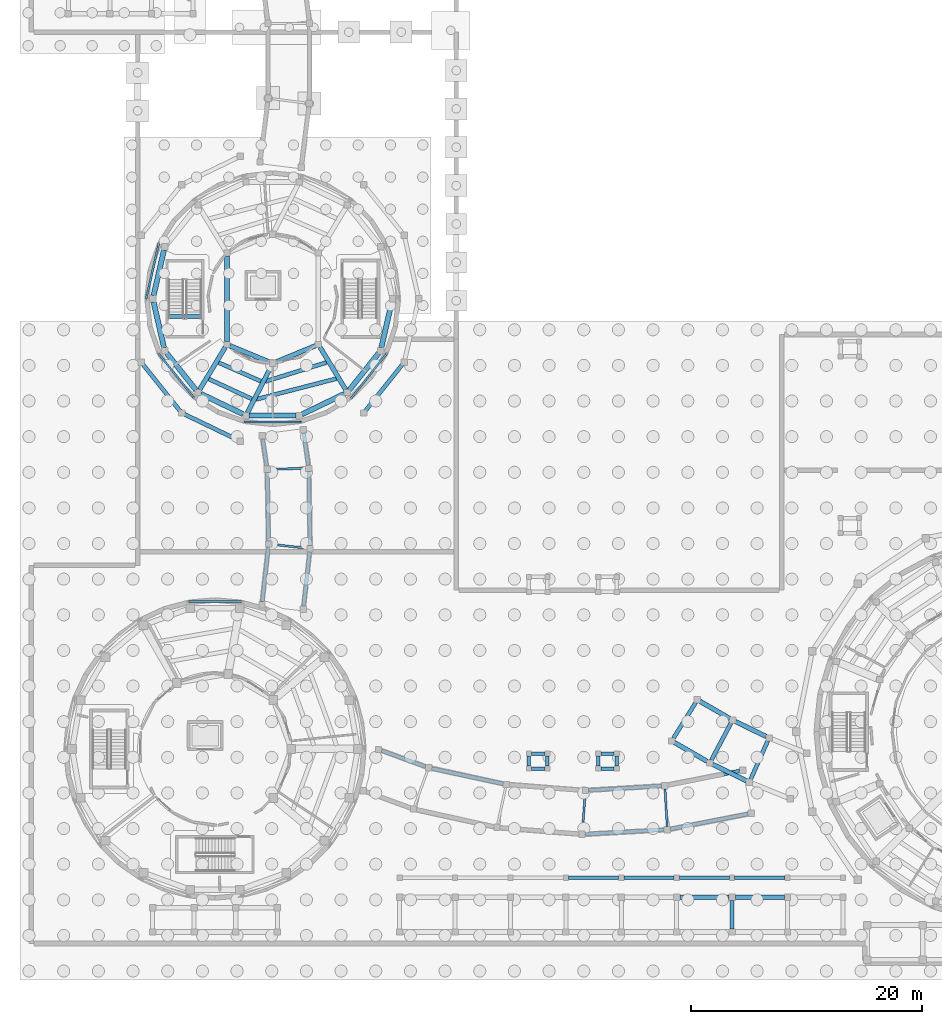
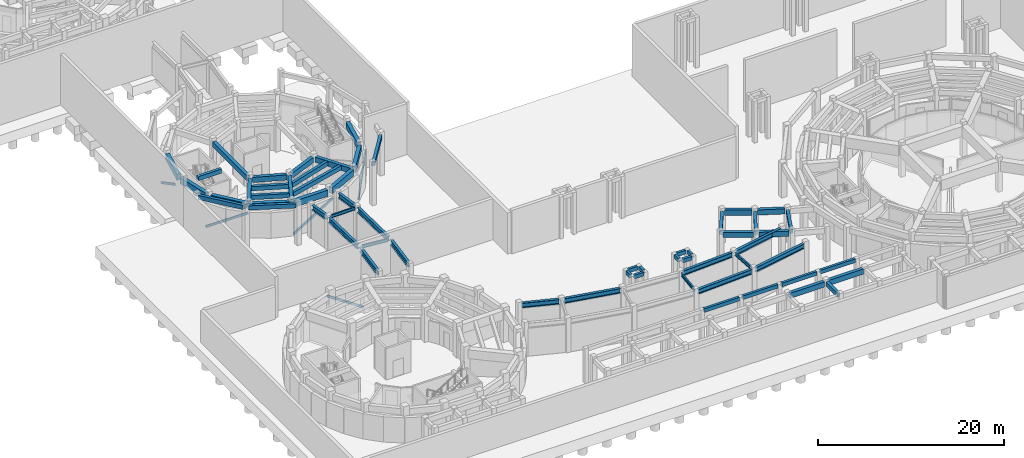
# One storey, part 15 of 57: 60 beams, 5 members.
"""IFC4 building model written with IfcOpenShell, lengths in metres."""

from ifc_helpers import new_model, si_unit, direction, frame, origin, origin_2d, place, context, subcontext, project, spatial, rectangle, i_section, extrude, material, material_profile, profile_set, type_object, element, save


model = new_model("IFC4")

# Units and contexts
model_context = context("Model", 3, precision=1e-05, world=origin(), true_north=direction((0.0, 1.0)))
body_context = subcontext(model_context, "Body", "Model", "MODEL_VIEW")
ifc_project = project(units=[si_unit("LENGTHUNIT", "METRE"), si_unit("AREAUNIT", "SQUARE_METRE"), si_unit("VOLUMEUNIT", "CUBIC_METRE"), si_unit("PLANEANGLEUNIT", "RADIAN"), si_unit("MASSUNIT", "GRAM", prefix="KILO")], contexts=[model_context])

# Site, building, storey
site_placement = place(None, origin())
site = spatial("IfcSite", under=ifc_project, at=site_placement, CompositionType="ELEMENT")
building_placement = place(site_placement, origin())
building = spatial("IfcBuilding", under=site, at=building_placement, Name="Aldenvaro Health Centre", CompositionType="ELEMENT")
storey_placement = place(building_placement, frame((0.0, 0.0, -4.550048828125)))
storey = spatial("IfcBuildingStorey", under=building, at=storey_placement, Name="B1", CompositionType="ELEMENT", Elevation=-4.550048828125)

# Beams
ifc_material_1 = material(Name="Concrete f'c 40 MPa", Category="concrete")
ifc_material_profile_1 = material_profile(ifc_material_1, rectangle(XDim=0.300048828125, YDim=0.47998046875, at=origin_2d()), Name="RC 300x480", Category="concrete")
ifc_profile_set_1 = profile_set([ifc_material_profile_1], Name="Concrete f'c 40 MPa")
beam_type_1 = type_object("IfcBeamType", Name="BM-RC-480", PredefinedType="LINTEL", material=ifc_profile_set_1)
for number, where, z_axis, x_axis, name in (
    (1, (45.925048828125, 16.800048828125, 4.090087890625), (1.0, 0.0, 0.0), (0.0, 1.0, 0.0), "Ramp 1 Departure Beam 1"),
    (2, (47.074951171875, 18.10009765625, 4.090087890625), (-1.0, 0.0, 0.0), (0.0, -1.0, 0.0), "Ramp 1 Departure Beam 2"),
):
    element("IfcBeam", number, at=place(storey_placement, frame(where, z_axis=z_axis, x_axis=x_axis)), inside=storey, type_object=beam_type_1, Name=name, PredefinedType="LINTEL", context=body_context, shape_type="SweptSolid", body=[
        extrude(rectangle(XDim=0.300048828125, YDim=0.47998046875, at=origin_2d()), origin(), (0.0, 0.0, 1.0), 1.14990234375),
    ])
for number, where, z_axis, x_axis, name in (
    (3, (45.699951171875, 17.02490234375, 4.090087890625), (0.0, 1.0, 0.0), (-1.0, 0.0, 0.0), "Ramp 1 Departure Beam 3"),
    (4, (47.300048828125, 17.02490234375, 4.090087890625), (0.0, 1.0, 0.0), (-1.0, 0.0, 0.0), "Ramp 1 Departure Beam 4"),
):
    element("IfcBeam", number, at=place(storey_placement, frame(where, z_axis=z_axis, x_axis=x_axis)), inside=storey, type_object=beam_type_1, Name=name, PredefinedType="LINTEL", context=body_context, shape_type="SweptSolid", body=[
        extrude(rectangle(XDim=0.300048828125, YDim=0.47998046875, at=origin_2d()), origin(), (0.0, 0.0, 1.0), 0.85009765625),
    ])
for number, where, z_axis, x_axis, name in (
    (5, (51.925048828125, 16.800048828125, 4.090087890625), (1.0, 0.0, 0.0), (0.0, 1.0, 0.0), "Ramp 2 Departure Beam 1"),
    (6, (53.074951171875, 18.10009765625, 4.090087890625), (-1.0, 0.0, 0.0), (0.0, -1.0, 0.0), "Ramp 2 Departure Beam 2"),
):
    element("IfcBeam", number, at=place(storey_placement, frame(where, z_axis=z_axis, x_axis=x_axis)), inside=storey, type_object=beam_type_1, Name=name, PredefinedType="LINTEL", context=body_context, shape_type="SweptSolid", body=[
        extrude(rectangle(XDim=0.300048828125, YDim=0.47998046875, at=origin_2d()), origin(), (0.0, 0.0, 1.0), 1.14990234375),
    ])
for number, where, z_axis, x_axis, name in (
    (7, (51.699951171875, 17.02490234375, 4.090087890625), (0.0, 1.0, 0.0), (-1.0, 0.0, 0.0), "Ramp 2 Departure Beam 3"),
    (8, (53.300048828125, 17.02490234375, 4.090087890625), (0.0, 1.0, 0.0), (-1.0, 0.0, 0.0), "Ramp 2 Departure Beam 4"),
):
    element("IfcBeam", number, at=place(storey_placement, frame(where, z_axis=z_axis, x_axis=x_axis)), inside=storey, type_object=beam_type_1, Name=name, PredefinedType="LINTEL", context=body_context, shape_type="SweptSolid", body=[
        extrude(rectangle(XDim=0.300048828125, YDim=0.47998046875, at=origin_2d()), origin(), (0.0, 0.0, 1.0), 0.85009765625),
    ])
beam_1_placement = place(storey_placement, frame((49.125, 7.35009765625, 4.31005859375), z_axis=(1.0, 0.0, 0.0), x_axis=(0.0, 1.0, 0.0)))
element("IfcBeam", 9, at=beam_1_placement, inside=storey, type_object=beam_type_1, Name="Courtyard Screen W Grade Beam 4", PredefinedType="LINTEL", context=body_context, shape_type="SweptSolid", body=[
    extrude(rectangle(XDim=0.300048828125, YDim=0.47998046875, at=origin_2d()), origin(), (0.0, 0.0, 1.0), 4.35009765625),
])
for number, where, z_axis, x_axis, name in (
    (10, (53.925048828125, 7.35009765625, 4.31005859375), (1.0, 0.0, 0.0), (0.0, 1.0, 0.0), "Courtyard Screen W Grade Beam 5"),
    (11, (58.72509765625, 7.35009765625, 4.31005859375), (1.0, 0.0, 0.0), (0.0, 1.0, 0.0), "Courtyard Screen W Grade Beam 6"),
):
    element("IfcBeam", number, at=place(storey_placement, frame(where, z_axis=z_axis, x_axis=x_axis)), inside=storey, type_object=beam_type_1, Name=name, PredefinedType="LINTEL", context=body_context, shape_type="SweptSolid", body=[
        extrude(rectangle(XDim=0.300048828125, YDim=0.47998046875, at=origin_2d()), origin(), (0.0, 0.0, 1.0), 4.349853515625),
    ])
beam_2_placement = place(storey_placement, frame((63.52490234375, 7.35009765625, 4.31005859375), z_axis=(1.0, 0.0, 0.0), x_axis=(0.0, 1.0, 0.0)))
element("IfcBeam", 12, at=beam_2_placement, inside=storey, type_object=beam_type_1, Name="Courtyard Screen W Grade Beam 7", PredefinedType="LINTEL", context=body_context, shape_type="SweptSolid", body=[
    extrude(rectangle(XDim=0.300048828125, YDim=0.47998046875, at=origin_2d()), origin(), (0.0, 0.0, 1.0), 4.35009765625),
])
ifc_material_profile_2 = material_profile(ifc_material_1, rectangle(XDim=0.35009765625, YDim=0.56005859375, at=origin_2d()), Name="RC 350x560", Category="concrete")
ifc_profile_set_2 = profile_set([ifc_material_profile_2], Name="Concrete f'c 40 MPa")
beam_type_2 = type_object("IfcBeamType", Name="BM-RC-560", PredefinedType="JOIST", material=ifc_profile_set_2)
beam_3_placement = place(storey_placement, frame((18.819091796875, 51.964111328125, 3.85498046875), z_axis=(0.915495637706, -0.402327897791, 0.0), x_axis=(0.402327897791, 0.915495637706, 0.0)))
element("IfcBeam", 13, at=beam_3_placement, inside=storey, type_object=beam_type_2, Name="D3 B1 secondary joist 04.1", PredefinedType="JOIST", context=body_context, shape_type="SweptSolid", body=[
    extrude(rectangle(XDim=0.35009765625, YDim=0.56005859375, at=origin_2d()), origin(), (0.0, 0.0, 1.0), 4.00439453125),
])
beam_4_placement = place(storey_placement, frame((17.962890625, 50.548095703125, 3.85498046875), z_axis=(0.90770241164, -0.419614503924, 0.0), x_axis=(0.419614503924, 0.90770241164, 0.0)))
element("IfcBeam", 14, at=beam_4_placement, inside=storey, type_object=beam_type_2, Name="D3 B1 secondary joist 04.2", PredefinedType="JOIST", context=body_context, shape_type="SweptSolid", body=[
    extrude(rectangle(XDim=0.35009765625, YDim=0.56005859375, at=origin_2d()), origin(), (0.0, 0.0, 1.0), 4.1181640625),
])
beam_5_placement = place(storey_placement, frame((22.85888671875, 50.33203125, 3.85498046875), z_axis=(0.954868665871, 0.297028333561, 0.0), x_axis=(-0.297028333561, 0.954868665871, 0.0)))
element("IfcBeam", 15, at=beam_5_placement, inside=storey, type_object=beam_type_2, Name="D3 B1 secondary joist 05.1", PredefinedType="JOIST", context=body_context, shape_type="SweptSolid", body=[
    extrude(rectangle(XDim=0.35009765625, YDim=0.56005859375, at=origin_2d()), origin(), (0.0, 0.0, 1.0), 5.5654296875),
])
beam_6_placement = place(storey_placement, frame((22.076904296875, 48.785888671875, 3.85498046875), z_axis=(0.968205324871, 0.250156848581, 0.0), x_axis=(-0.250156848581, 0.968205324871, 0.0)))
element("IfcBeam", 16, at=beam_6_placement, inside=storey, type_object=beam_type_2, Name="D3 B1 secondary joist 05.2", PredefinedType="JOIST", context=body_context, shape_type="SweptSolid", body=[
    extrude(rectangle(XDim=0.35009765625, YDim=0.56005859375, at=origin_2d()), origin(), (0.0, 0.0, 1.0), 7.17626953125),
])
for number, where, z_axis, x_axis, name in (
    (17, (60.14599609375, 22.52490234375, 3.949951171875), (-0.529944821352, -0.848032125761, 0.0), (0.848032125761, -0.529944821352, 0.0), "Colonnade Transverse Beam 01"),
    (18, (63.2099609375, 20.756103515625, 3.949951171875), (-0.469601878876, -0.882878290228, 0.0), (0.882878290228, -0.469601878876, 0.0), "Colonnade Transverse Beam 02"),
):
    element("IfcBeam", number, at=place(storey_placement, frame(where, z_axis=z_axis, x_axis=x_axis)), inside=storey, type_object=beam_type_2, Name=name, PredefinedType="JOIST", context=body_context, shape_type="SweptSolid", body=[
        extrude(rectangle(XDim=0.35009765625, YDim=0.56005859375, at=origin_2d()), origin(), (0.0, 0.0, 1.0), 3.649658203125),
    ])
beam_7_placement = place(storey_placement, frame((66.387939453125, 19.2060546875, 3.949951171875), z_axis=(-0.406523187551, -0.913640464288, 0.0), x_axis=(0.913640464288, -0.406523187551, 0.0)))
element("IfcBeam", 19, at=beam_7_placement, inside=storey, type_object=beam_type_2, Name="Colonnade Transverse Beam 03", PredefinedType="JOIST", context=body_context, shape_type="SweptSolid", body=[
    extrude(rectangle(XDim=0.35009765625, YDim=0.56005859375, at=origin_2d()), origin(), (0.0, 0.0, 1.0), 3.650146484375),
])
beam_8_placement = place(storey_placement, frame((63.300048828125, 2.925048828125, 4.010009765625), z_axis=(0.0, 1.0, 0.0), x_axis=(-1.0, 0.0, 0.0)))
element("IfcBeam", 20, at=beam_8_placement, inside=storey, type_object=beam_type_2, Name="South Stoa W Transverse Beam B1-7", PredefinedType="JOIST", context=body_context, shape_type="SweptSolid", body=[
    extrude(rectangle(XDim=0.35009765625, YDim=0.56005859375, at=origin_2d()), origin(), (0.0, 0.0, 1.0), 2.449951171875),
])
beam_9_placement = place(storey_placement, frame((12.239990234375, 51.839111328125, 5.10009765625), z_axis=(0.623564197112, -0.781772148442, 0.0), x_axis=(0.781772148442, 0.623564197112, 0.0)))
element("IfcBeam", 21, at=beam_9_placement, inside=storey, type_object=beam_type_2, Name="Garden Pavilion Peristyle Plinth Tie 09", PredefinedType="JOIST", context=body_context, shape_type="SweptSolid", body=[
    extrude(rectangle(XDim=0.35009765625, YDim=0.56005859375, at=origin_2d()), origin(), (0.0, 0.0, 1.0), 5.189697265625),
])
beam_10_placement = place(storey_placement, frame((15.81103515625, 47.514892578125, 5.10009765625), z_axis=(0.900887923887, -0.434051781007, 0.0), x_axis=(0.434051781007, 0.900887923887, 0.0)))
element("IfcBeam", 22, at=beam_10_placement, inside=storey, type_object=beam_type_2, Name="Garden Pavilion Peristyle Plinth Tie 10", PredefinedType="JOIST", context=body_context, shape_type="SweptSolid", body=[
    extrude(rectangle(XDim=0.35009765625, YDim=0.56005859375, at=origin_2d()), origin(), (0.0, 0.0, 1.0), 5.1904296875),
])
beam_11_placement = place(storey_placement, frame((31.52392578125, 47.781982421875, 5.10009765625), z_axis=(0.623564197112, 0.781772148442, 0.0), x_axis=(-0.781772148442, 0.623564197112, 0.0)))
element("IfcBeam", 23, at=beam_11_placement, inside=storey, type_object=beam_type_2, Name="Garden Pavilion Peristyle Plinth Tie 13", PredefinedType="JOIST", context=body_context, shape_type="SweptSolid", body=[
    extrude(rectangle(XDim=0.35009765625, YDim=0.56005859375, at=origin_2d()), origin(), (0.0, 0.0, 1.0), 5.189697265625),
])
beam_12_placement = place(storey_placement, frame((17.35009765625, 55.949951171875, 4.27001953125), z_axis=(-1.0, 0.0, 0.0), x_axis=(0.0, -1.0, 0.0)))
element("IfcBeam", 24, at=beam_12_placement, inside=storey, type_object=beam_type_2, Name="ST-06 L00 stair landing trimmer beam", PredefinedType="JOIST", context=body_context, shape_type="SweptSolid", body=[
    extrude(rectangle(XDim=0.35009765625, YDim=0.56005859375, at=origin_2d()), origin(), (0.0, 0.0, 1.0), 2.900146484375),
])
ifc_material_profile_3 = material_profile(ifc_material_1, rectangle(XDim=0.39990234375, YDim=0.679931640625, at=origin_2d()), Name="RC 400x680", Category="concrete")
ifc_profile_set_3 = profile_set([ifc_material_profile_3], Name="Concrete f'c 40 MPa")
beam_type_3 = type_object("IfcBeamType", Name="BM-RC-680", PredefinedType="BEAM", material=ifc_profile_set_3)
beam_13_placement = place(storey_placement, frame((19.5400390625, 61.18505859375, 3.795166015625), z_axis=(0.0, -1.0, 0.0), x_axis=(1.0, 0.0, 0.0)))
element("IfcBeam", 25, at=beam_13_placement, inside=storey, type_object=beam_type_3, Name="D3 B1 inner ring beam 03", PredefinedType="BEAM", context=body_context, shape_type="SweptSolid", body=[
    extrude(rectangle(XDim=0.39990234375, YDim=0.679931640625, at=origin_2d()), origin(), (0.0, 0.0, 1.0), 7.3701171875),
])
for number, where, z_axis, x_axis, name in (
    (26, (19.7939453125, 53.43505859375, 3.795166015625), (0.923855963606, -0.38274032778, 0.0), (0.38274032778, 0.923855963606, 0.0), "D3 B1 inner ring beam 04"),
    (27, (23.75390625, 52.0048828125, 3.795166015625), (0.923855963606, 0.38274032778, 0.0), (-0.38274032778, 0.923855963606, 0.0), "D3 B1 inner ring beam 05"),
):
    element("IfcBeam", number, at=place(storey_placement, frame(where, z_axis=z_axis, x_axis=x_axis)), inside=storey, type_object=beam_type_3, Name=name, PredefinedType="BEAM", context=body_context, shape_type="SweptSolid", body=[
        extrude(rectangle(XDim=0.39990234375, YDim=0.679931640625, at=origin_2d()), origin(), (0.0, 0.0, 1.0), 3.736572265625),
    ])
beam_14_placement = place(storey_placement, frame((19.39794921875, 53.304931640625, 3.795166015625), z_axis=(-0.517419338909, -0.855731983581, 0.0), x_axis=(0.855731983581, -0.517419338909, 0.0)))
element("IfcBeam", 28, at=beam_14_placement, inside=storey, type_object=beam_type_3, Name="D3 B1 radial beam 04", PredefinedType="BEAM", context=body_context, shape_type="SweptSolid", body=[
    extrude(rectangle(XDim=0.39990234375, YDim=0.679931640625, at=origin_2d()), origin(), (0.0, 0.0, 1.0), 4.30615234375),
])
beam_15_placement = place(storey_placement, frame((23.375, 51.655029296875, 3.795166015625), z_axis=(-0.455157629571, -0.890410878327, 0.0), x_axis=(0.890410878327, -0.455157629571, 0.0)))
element("IfcBeam", 29, at=beam_15_placement, inside=storey, type_object=beam_type_3, Name="D3 B1 radial beam 05", PredefinedType="BEAM", context=body_context, shape_type="SweptSolid", body=[
    extrude(rectangle(XDim=0.39990234375, YDim=0.679931640625, at=origin_2d()), origin(), (0.0, 0.0, 1.0), 4.526123046875),
])
beam_16_placement = place(storey_placement, frame((27.60205078125, 53.304931640625, 3.795166015625), z_axis=(0.517419338909, -0.855731983581, 0.0), x_axis=(0.855731983581, 0.517419338909, 0.0)))
element("IfcBeam", 30, at=beam_16_placement, inside=storey, type_object=beam_type_3, Name="D3 B1 radial beam 06", PredefinedType="BEAM", context=body_context, shape_type="SweptSolid", body=[
    extrude(rectangle(XDim=0.39990234375, YDim=0.679931640625, at=origin_2d()), origin(), (0.0, 0.0, 1.0), 4.30615234375),
])
beam_17_placement = place(storey_placement, frame((60.530029296875, 22.62109375, 3.949951171875), z_axis=(0.86592126514, -0.500180330059, 0.0), x_axis=(0.500180330059, 0.86592126514, 0.0)))
element("IfcBeam", 31, at=beam_17_placement, inside=storey, type_object=beam_type_3, Name="Colonnade Architrave Beam IN 01", PredefinedType="BEAM", context=body_context, shape_type="SweptSolid", body=[
    extrude(rectangle(XDim=0.39990234375, YDim=0.679931640625, at=origin_2d()), origin(), (0.0, 0.0, 1.0), 2.96923828125),
])
beam_18_placement = place(storey_placement, frame((58.303955078125, 19.05908203125, 3.949951171875), z_axis=(0.866139473422, -0.499802373524, 0.0), x_axis=(0.499802373524, 0.866139473422, 0.0)))
element("IfcBeam", 32, at=beam_18_placement, inside=storey, type_object=beam_type_3, Name="Colonnade Architrave Beam OUT 01", PredefinedType="BEAM", context=body_context, shape_type="SweptSolid", body=[
    extrude(rectangle(XDim=0.39990234375, YDim=0.679931640625, at=origin_2d()), origin(), (0.0, 0.0, 1.0), 3.261474609375),
])
beam_19_placement = place(storey_placement, frame((63.5859375, 20.8779296875, 3.949951171875), z_axis=(0.898890989198, -0.438172328586, 0.0), x_axis=(0.438172328586, 0.898890989198, 0.0)))
element("IfcBeam", 33, at=beam_19_placement, inside=storey, type_object=beam_type_3, Name="Colonnade Architrave Beam IN 02", PredefinedType="BEAM", context=body_context, shape_type="SweptSolid", body=[
    extrude(rectangle(XDim=0.39990234375, YDim=0.679931640625, at=origin_2d()), origin(), (0.0, 0.0, 1.0), 2.967041015625),
])
beam_20_placement = place(storey_placement, frame((61.614013671875, 17.169921875, 3.949951171875), z_axis=(0.898859814594, -0.43823627612, 0.0), x_axis=(0.43823627612, 0.898859814594, 0.0)))
element("IfcBeam", 34, at=beam_20_placement, inside=storey, type_object=beam_type_3, Name="Colonnade Architrave Beam OUT 02", PredefinedType="BEAM", context=body_context, shape_type="SweptSolid", body=[
    extrude(rectangle(XDim=0.39990234375, YDim=0.679931640625, at=origin_2d()), origin(), (0.0, 0.0, 1.0), 3.2607421875),
])
for number, where, z_axis, x_axis, name in (
    (35, (58.77490234375, 5.64990234375, 3.949951171875), (1.0, 0.0, 0.0), (0.0, 1.0, 0.0), "South Stoa W Classical Architrave B1-6.2"),
    (36, (63.574951171875, 5.64990234375, 3.949951171875), (1.0, 0.0, 0.0), (0.0, 1.0, 0.0), "South Stoa W Classical Architrave B1-7.2"),
):
    element("IfcBeam", number, at=place(storey_placement, frame(where, z_axis=z_axis, x_axis=x_axis)), inside=storey, type_object=beam_type_3, Name=name, PredefinedType="BEAM", context=body_context, shape_type="SweptSolid", body=[
        extrude(rectangle(XDim=0.39990234375, YDim=0.679931640625, at=origin_2d()), origin(), (0.0, 0.0, 1.0), 4.25),
    ])
ifc_material_profile_4 = material_profile(ifc_material_1, rectangle(XDim=0.449951171875, YDim=0.800048828125, at=origin_2d()), Name="RC 450x800", Category="concrete")
ifc_profile_set_4 = profile_set([ifc_material_profile_4], Name="Concrete f'c 40 MPa")
beam_type_4 = type_object("IfcBeamType", Name="BM-RC-800I", PredefinedType="SPANDREL", material=ifc_profile_set_4)
for number, where, z_axis, x_axis, name in (
    (37, (14.0869140625, 61.736083984375, 3.735107421875), (-0.222598403524, -0.97491022702, 0.0), (0.97491022702, -0.222598403524, 0.0), "D3 B1 perimeter spandrel 07"),
    (38, (13.180908203125, 57.23193359375, 3.735107421875), (0.222598403524, -0.97491022702, 0.0), (0.97491022702, 0.222598403524, 0.0), "D3 B1 perimeter spandrel 08"),
):
    element("IfcBeam", number, at=place(storey_placement, frame(where, z_axis=z_axis, x_axis=x_axis)), inside=storey, type_object=beam_type_4, Name=name, PredefinedType="SPANDREL", context=body_context, shape_type="SweptSolid", body=[
        extrude(rectangle(XDim=0.449951171875, YDim=0.800048828125, at=origin_2d()), origin(), (0.0, 0.0, 1.0), 4.070068359375),
    ])
beam_21_placement = place(storey_placement, frame((14.319091796875, 52.781005859375, 3.735107421875), z_axis=(0.623662856495, -0.781693444663, 0.0), x_axis=(0.781693444663, 0.623662856495, 0.0)))
element("IfcBeam", 39, at=beam_21_placement, inside=storey, type_object=beam_type_4, Name="D3 B1 perimeter spandrel 09", PredefinedType="SPANDREL", context=body_context, shape_type="SweptSolid", body=[
    extrude(rectangle(XDim=0.449951171875, YDim=0.800048828125, at=origin_2d()), origin(), (0.0, 0.0, 1.0), 4.0693359375),
])
beam_22_placement = place(storey_placement, frame((17.27587890625, 49.26611328125, 3.735107421875), z_axis=(0.900812260888, -0.434208786914, 0.0), x_axis=(0.434208786914, 0.900812260888, 0.0)))
element("IfcBeam", 40, at=beam_22_placement, inside=storey, type_object=beam_type_4, Name="D3 B1 perimeter spandrel 10", PredefinedType="SPANDREL", context=body_context, shape_type="SweptSolid", body=[
    extrude(rectangle(XDim=0.449951171875, YDim=0.800048828125, at=origin_2d()), origin(), (0.0, 0.0, 1.0), 4.069580078125),
])
beam_23_placement = place(storey_placement, frame((21.465087890625, 47.3798828125, 3.735107421875), z_axis=(1.0, 0.0, 0.0), x_axis=(0.0, 1.0, 0.0)))
element("IfcBeam", 41, at=beam_23_placement, inside=storey, type_object=beam_type_4, Name="D3 B1 perimeter spandrel 11", PredefinedType="SPANDREL", context=body_context, shape_type="SweptSolid", body=[
    extrude(rectangle(XDim=0.449951171875, YDim=0.800048828125, at=origin_2d()), origin(), (0.0, 0.0, 1.0), 4.06982421875),
])
beam_24_placement = place(storey_placement, frame((26.05810546875, 47.4990234375, 3.735107421875), z_axis=(0.900812260888, 0.434208786914, 0.0), x_axis=(-0.434208786914, 0.900812260888, 0.0)))
element("IfcBeam", 42, at=beam_24_placement, inside=storey, type_object=beam_type_4, Name="D3 B1 perimeter spandrel 12", PredefinedType="SPANDREL", context=body_context, shape_type="SweptSolid", body=[
    extrude(rectangle(XDim=0.449951171875, YDim=0.800048828125, at=origin_2d()), origin(), (0.0, 0.0, 1.0), 4.069580078125),
])
beam_25_placement = place(storey_placement, frame((30.14306640625, 49.60009765625, 3.735107421875), z_axis=(0.623662856495, 0.781693444663, 0.0), x_axis=(-0.781693444663, 0.623662856495, 0.0)))
element("IfcBeam", 43, at=beam_25_placement, inside=storey, type_object=beam_type_4, Name="D3 B1 perimeter spandrel 13", PredefinedType="SPANDREL", context=body_context, shape_type="SweptSolid", body=[
    extrude(rectangle(XDim=0.449951171875, YDim=0.800048828125, at=origin_2d()), origin(), (0.0, 0.0, 1.0), 4.0693359375),
])
beam_26_placement = place(storey_placement, frame((32.9130859375, 53.263916015625, 3.735107421875), z_axis=(0.222598403524, 0.97491022702, 0.0), x_axis=(-0.97491022702, 0.222598403524, 0.0)))
element("IfcBeam", 44, at=beam_26_placement, inside=storey, type_object=beam_type_4, Name="D3 B1 perimeter spandrel 14", PredefinedType="SPANDREL", context=body_context, shape_type="SweptSolid", body=[
    extrude(rectangle(XDim=0.449951171875, YDim=0.800048828125, at=origin_2d()), origin(), (0.0, 0.0, 1.0), 4.070068359375),
])
ifc_material_2 = material(Name="Steel ASTM A992 Grade 50", Category="steel")
ifc_material_profile_5 = material_profile(ifc_material_2, i_section(OverallWidth=0.180908203125, OverallDepth=0.4169921875, WebThickness=0.010986328125, FlangeThickness=0.018310546875, at=origin_2d()), Name="W16X57", Category="steel")
ifc_profile_set_5 = profile_set([ifc_material_profile_5], Name="Steel ASTM A992 Grade 50")
beam_type_5 = type_object("IfcBeamType", Name="BM-ST-W16", PredefinedType="JOIST", material=ifc_profile_set_5)
beam_27_placement = place(storey_placement, frame((23.427001953125, 36.22607421875, 4.136962890625), z_axis=(0.993838760103, -0.110835548977, 0.0), x_axis=(0.110835548977, 0.993838760103, 0.0)))
element("IfcBeam", 45, at=beam_27_placement, inside=storey, type_object=beam_type_5, Name="West South Curved Garden Walkway Arc 1 B1 cross beam 2", PredefinedType="JOIST", context=body_context, shape_type="SweptSolid", body=[
    extrude(i_section(OverallWidth=0.180908203125, OverallDepth=0.4169921875, WebThickness=0.010986328125, FlangeThickness=0.018310546875, at=origin_2d()), origin(), (0.0, 0.0, 1.0), 3.05078125),
])
beam_28_placement = place(storey_placement, frame((23.301025390625, 42.7451171875, 4.136962890625), z_axis=(0.99985468814, 0.017047070245, 0.0), x_axis=(-0.017047070245, 0.99985468814, 0.0)))
element("IfcBeam", 46, at=beam_28_placement, inside=storey, type_object=beam_type_5, Name="West South Curved Garden Walkway Arc 2 B1 cross beam 2", PredefinedType="JOIST", context=body_context, shape_type="SweptSolid", body=[
    extrude(i_section(OverallWidth=0.180908203125, OverallDepth=0.4169921875, WebThickness=0.010986328125, FlangeThickness=0.018310546875, at=origin_2d()), origin(), (0.0, 0.0, 1.0), 3.050537109375),
])
beam_29_placement = place(storey_placement, frame((50.576904296875, 14.623046875, 4.0810546875), z_axis=(-0.078126830306, -0.996943427877, 0.0), x_axis=(0.996943427877, -0.078126830306, 0.0)))
element("IfcBeam", 47, at=beam_29_placement, inside=storey, type_object=beam_type_5, Name="South West Curved Peristyle Walkway Arc 3 B1 cross beam 2", PredefinedType="JOIST", context=body_context, shape_type="SweptSolid", body=[
    extrude(i_section(OverallWidth=0.180908203125, OverallDepth=0.4169921875, WebThickness=0.010986328125, FlangeThickness=0.018310546875, at=origin_2d()), origin(), (0.0, 0.0, 1.0), 3.25),
])
beam_30_placement = place(storey_placement, frame((57.487060546875, 15.035888671875, 4.0810546875), z_axis=(0.057255211564, -0.998359574877, 0.0), x_axis=(0.998359574877, 0.057255211564, 0.0)))
element("IfcBeam", 48, at=beam_30_placement, inside=storey, type_object=beam_type_5, Name="South West Curved Peristyle Walkway Arc 4 B1 cross beam 2", PredefinedType="JOIST", context=body_context, shape_type="SweptSolid", body=[
    extrude(i_section(OverallWidth=0.180908203125, OverallDepth=0.4169921875, WebThickness=0.010986328125, FlangeThickness=0.018310546875, at=origin_2d()), origin(), (0.0, 0.0, 1.0), 3.249267578125),
])
ifc_material_profile_6 = material_profile(ifc_material_2, i_section(OverallWidth=0.326904296875, OverallDepth=0.6220703125, WebThickness=0.015380859375, FlangeThickness=0.0244140625, at=origin_2d()), Name="W24X131", Category="steel")
ifc_profile_set_6 = profile_set([ifc_material_profile_6], Name="Steel ASTM A992 Grade 50")
beam_type_6 = type_object("IfcBeamType", Name="BM-ST-W24", PredefinedType="BEAM", material=ifc_profile_set_6)
beam_31_placement = place(storey_placement, frame((22.60107421875, 31.281005859375, 4.033935546875), z_axis=(0.110539141932, 0.993871771458, 0.0), x_axis=(-0.993871771458, 0.110539141932, 0.0)))
element("IfcBeam", 49, at=beam_31_placement, inside=storey, type_object=beam_type_6, Name="West South Curved Garden Walkway Arc 1 B1 girder L-1", PredefinedType="BEAM", context=body_context, shape_type="SweptSolid", body=[
    extrude(i_section(OverallWidth=0.326904296875, OverallDepth=0.6220703125, WebThickness=0.015380859375, FlangeThickness=0.0244140625, at=origin_2d()), origin(), (0.0, 0.0, 1.0), 4.73095703125),
])
beam_32_placement = place(storey_placement, frame((26.178955078125, 30.884033203125, 4.033935546875), z_axis=(0.110561824468, 0.993869248428, 0.0), x_axis=(-0.993869248428, 0.110561824468, 0.0)))
element("IfcBeam", 50, at=beam_32_placement, inside=storey, type_object=beam_type_6, Name="West South Curved Garden Walkway Arc 1 B1 girder R-1", PredefinedType="BEAM", context=body_context, shape_type="SweptSolid", body=[
    extrude(i_section(OverallWidth=0.326904296875, OverallDepth=0.6220703125, WebThickness=0.015380859375, FlangeThickness=0.0244140625, at=origin_2d()), origin(), (0.0, 0.0, 1.0), 4.72998046875),
])
beam_33_placement = place(storey_placement, frame((23.14892578125, 36.531005859375, 4.033935546875), z_axis=(-0.019867714319, 0.999802617484, 0.0), x_axis=(-0.999802617484, -0.019867714319, 0.0)))
element("IfcBeam", 51, at=beam_33_placement, inside=storey, type_object=beam_type_6, Name="West South Curved Garden Walkway Arc 2 B1 girder L-1", PredefinedType="BEAM", context=body_context, shape_type="SweptSolid", body=[
    extrude(i_section(OverallWidth=0.326904296875, OverallDepth=0.6220703125, WebThickness=0.015380859375, FlangeThickness=0.0244140625, at=origin_2d()), origin(), (0.0, 0.0, 1.0), 5.935302734375),
])
beam_34_placement = place(storey_placement, frame((26.72802734375, 36.133056640625, 4.033935546875), z_axis=(-0.015347562128, 0.999882219232, 0.0), x_axis=(-0.999882219232, -0.015347562128, 0.0)))
element("IfcBeam", 52, at=beam_34_placement, inside=storey, type_object=beam_type_6, Name="West South Curved Garden Walkway Arc 2 B1 girder R-1", PredefinedType="BEAM", context=body_context, shape_type="SweptSolid", body=[
    extrude(i_section(OverallWidth=0.326904296875, OverallDepth=0.6220703125, WebThickness=0.015380859375, FlangeThickness=0.0244140625, at=origin_2d()), origin(), (0.0, 0.0, 1.0), 6.394775390625),
])
beam_35_placement = place(storey_placement, frame((22.985107421875, 43.011962890625, 4.033935546875), z_axis=(-0.1499789487, 0.988689190265, 0.0), x_axis=(-0.988689190265, -0.1499789487, 0.0)))
element("IfcBeam", 53, at=beam_35_placement, inside=storey, type_object=beam_type_6, Name="West South Curved Garden Walkway Arc 3 B1 girder L-1", PredefinedType="BEAM", context=body_context, shape_type="SweptSolid", body=[
    extrude(i_section(OverallWidth=0.326904296875, OverallDepth=0.6220703125, WebThickness=0.015380859375, FlangeThickness=0.0244140625, at=origin_2d()), origin(), (0.0, 0.0, 1.0), 2.375),
])
beam_36_placement = place(storey_placement, frame((26.5869140625, 43.073974609375, 4.033935546875), z_axis=(-0.140312540229, 0.990107262399, 0.0), x_axis=(-0.990107262399, -0.140312540229, 0.0)))
element("IfcBeam", 54, at=beam_36_placement, inside=storey, type_object=beam_type_6, Name="West South Curved Garden Walkway Arc 3 B1 girder R-1", PredefinedType="BEAM", context=body_context, shape_type="SweptSolid", body=[
    extrude(i_section(OverallWidth=0.326904296875, OverallDepth=0.6220703125, WebThickness=0.015380859375, FlangeThickness=0.0244140625, at=origin_2d()), origin(), (0.0, 0.0, 1.0), 2.836181640625),
])
beam_37_placement = place(storey_placement, frame((32.923095703125, 18.363037109375, 3.97900390625), z_axis=(0.939158229155, -0.343484818603, 0.0), x_axis=(0.343484818603, 0.939158229155, 0.0)))
element("IfcBeam", 55, at=beam_37_placement, inside=storey, type_object=beam_type_6, Name="South West Curved Peristyle Walkway Arc 1 B1 girder L-1", PredefinedType="BEAM", context=body_context, shape_type="SweptSolid", body=[
    extrude(i_section(OverallWidth=0.326904296875, OverallDepth=0.6220703125, WebThickness=0.015380859375, FlangeThickness=0.0244140625, at=origin_2d()), origin(), (0.0, 0.0, 1.0), 4.07275390625),
])
beam_38_placement = place(storey_placement, frame((37.27490234375, 16.81103515625, 3.97900390625), z_axis=(0.97757225988, -0.210600277096, 0.0), x_axis=(0.210600277096, 0.97757225988, 0.0)))
element("IfcBeam", 56, at=beam_38_placement, inside=storey, type_object=beam_type_6, Name="South West Curved Peristyle Walkway Arc 2 B1 girder L-1", PredefinedType="BEAM", context=body_context, shape_type="SweptSolid", body=[
    extrude(i_section(OverallWidth=0.326904296875, OverallDepth=0.6220703125, WebThickness=0.015380859375, FlangeThickness=0.0244140625, at=origin_2d()), origin(), (0.0, 0.0, 1.0), 6.334228515625),
])
beam_39_placement = place(storey_placement, frame((50.8740234375, 14.9140625, 3.97900390625), z_axis=(0.998199541019, 0.05998063278, 0.0), x_axis=(-0.05998063278, 0.998199541019, 0.0)))
element("IfcBeam", 57, at=beam_39_placement, inside=storey, type_object=beam_type_6, Name="South West Curved Peristyle Walkway Arc 4 B1 girder L-1", PredefinedType="BEAM", context=body_context, shape_type="SweptSolid", body=[
    extrude(i_section(OverallWidth=0.326904296875, OverallDepth=0.6220703125, WebThickness=0.015380859375, FlangeThickness=0.0244140625, at=origin_2d()), origin(), (0.0, 0.0, 1.0), 6.33349609375),
])
beam_40_placement = place(storey_placement, frame((50.575927734375, 11.1240234375, 3.97900390625), z_axis=(0.998476216837, 0.055183733217, 0.0), x_axis=(-0.055183733217, 0.998476216837, 0.0)))
element("IfcBeam", 58, at=beam_40_placement, inside=storey, type_object=beam_type_6, Name="South West Curved Peristyle Walkway Arc 4 B1 girder R-1", PredefinedType="BEAM", context=body_context, shape_type="SweptSolid", body=[
    extrude(i_section(OverallWidth=0.326904296875, OverallDepth=0.6220703125, WebThickness=0.015380859375, FlangeThickness=0.0244140625, at=origin_2d()), origin(), (0.0, 0.0, 1.0), 6.8486328125),
])
beam_41_placement = place(storey_placement, frame((57.740966796875, 15.364990234375, 3.97900390625), z_axis=(0.98082458488, 0.194892620934, 0.0), x_axis=(-0.194892620934, 0.98082458488, 0.0)))
element("IfcBeam", 59, at=beam_41_placement, inside=storey, type_object=beam_type_6, Name="South West Curved Peristyle Walkway Arc 5 B1 girder L-1", PredefinedType="BEAM", context=body_context, shape_type="SweptSolid", body=[
    extrude(i_section(OverallWidth=0.326904296875, OverallDepth=0.6220703125, WebThickness=0.015380859375, FlangeThickness=0.0244140625, at=origin_2d()), origin(), (0.0, 0.0, 1.0), 6.332275390625),
])
beam_42_placement = place(storey_placement, frame((57.958984375, 11.569091796875, 3.97900390625), z_axis=(0.981716525026, 0.190348796927, 0.0), x_axis=(-0.190348796927, 0.981716525026, 0.0)))
element("IfcBeam", 60, at=beam_42_placement, inside=storey, type_object=beam_type_6, Name="South West Curved Peristyle Walkway Arc 5 B1 girder R-1", PredefinedType="BEAM", context=body_context, shape_type="SweptSolid", body=[
    extrude(i_section(OverallWidth=0.326904296875, OverallDepth=0.6220703125, WebThickness=0.015380859375, FlangeThickness=0.0244140625, at=origin_2d()), origin(), (0.0, 0.0, 1.0), 6.850341796875),
])

# Members
ifc_material_3 = material(Name="Glulam GL28h", Category="wood")
ifc_material_profile_7 = material_profile(ifc_material_3, rectangle(XDim=0.175048828125, YDim=0.26611328125, at=origin_2d()), Name="GL 175x266", Category="wood")
ifc_profile_set_7 = profile_set([ifc_material_profile_7], Name="Glulam GL28h")
member_type = type_object("IfcMemberType", Name="MEM-BR-266", PredefinedType="BRACE", material=ifc_profile_set_7)
for number, where, z_axis, x_axis, name in (
    (61, (13.62109375, 62.236083984375, 0.16015625), (-0.188943457285, -0.827419886265, 0.528844685859), (0.974904833527, -0.222622023991, 0.0), "D3 B1 timber brace 7"),
    (62, (13.636962890625, 52.72900390625, 0.16015625), (0.52939007943, -0.663386322637, 0.528833367649), (0.781626317154, 0.623746984227, 0.0), "D3 B1 timber brace 9"),
):
    element("IfcMember", number, at=place(storey_placement, frame(where, z_axis=z_axis, x_axis=x_axis)), inside=storey, type_object=member_type, Name=name, PredefinedType="BRACE", context=body_context, shape_type="SweptSolid", body=[
        extrude(rectangle(XDim=0.175048828125, YDim=0.26611328125, at=origin_2d()), origin(), (0.0, 0.0, 1.0), 5.700927734375),
    ])
member_1_placement = place(storey_placement, frame((21.0810546875, 46.81494140625, 0.16015625), z_axis=(0.848690535496, 0.0, 0.528889756906), x_axis=(0.0, 1.0, 0.0)))
element("IfcMember", 63, at=member_1_placement, inside=storey, type_object=member_type, Name="D3 B1 timber brace 11", PredefinedType="BRACE", context=body_context, shape_type="SweptSolid", body=[
    extrude(rectangle(XDim=0.175048828125, YDim=0.26611328125, at=origin_2d()), origin(), (0.0, 0.0, 1.0), 5.700439453125),
])
member_2_placement = place(storey_placement, frame((30.344970703125, 48.947021484375, 0.16015625), z_axis=(0.52939007943, 0.663386322637, 0.528833367649), x_axis=(-0.781626317154, 0.623746984227, 0.0)))
element("IfcMember", 64, at=member_2_placement, inside=storey, type_object=member_type, Name="D3 B1 timber brace 13", PredefinedType="BRACE", context=body_context, shape_type="SweptSolid", body=[
    extrude(rectangle(XDim=0.175048828125, YDim=0.26611328125, at=origin_2d()), origin(), (0.0, 0.0, 1.0), 5.700927734375),
])
member_3_placement = place(storey_placement, frame((20.72998046875, 31.262939453125, 0.16015625), z_axis=(-0.829940487448, 0.0, 0.557851940298), x_axis=(0.0, -1.0, 0.0)))
element("IfcMember", 65, at=member_3_placement, inside=storey, type_object=member_type, Name="D5 B1 timber brace 5", PredefinedType="BRACE", context=body_context, shape_type="SweptSolid", body=[
    extrude(rectangle(XDim=0.175048828125, YDim=0.26611328125, at=origin_2d()), origin(), (0.0, 0.0, 1.0), 5.373779296875),
])

save(model, "model.ifc")
